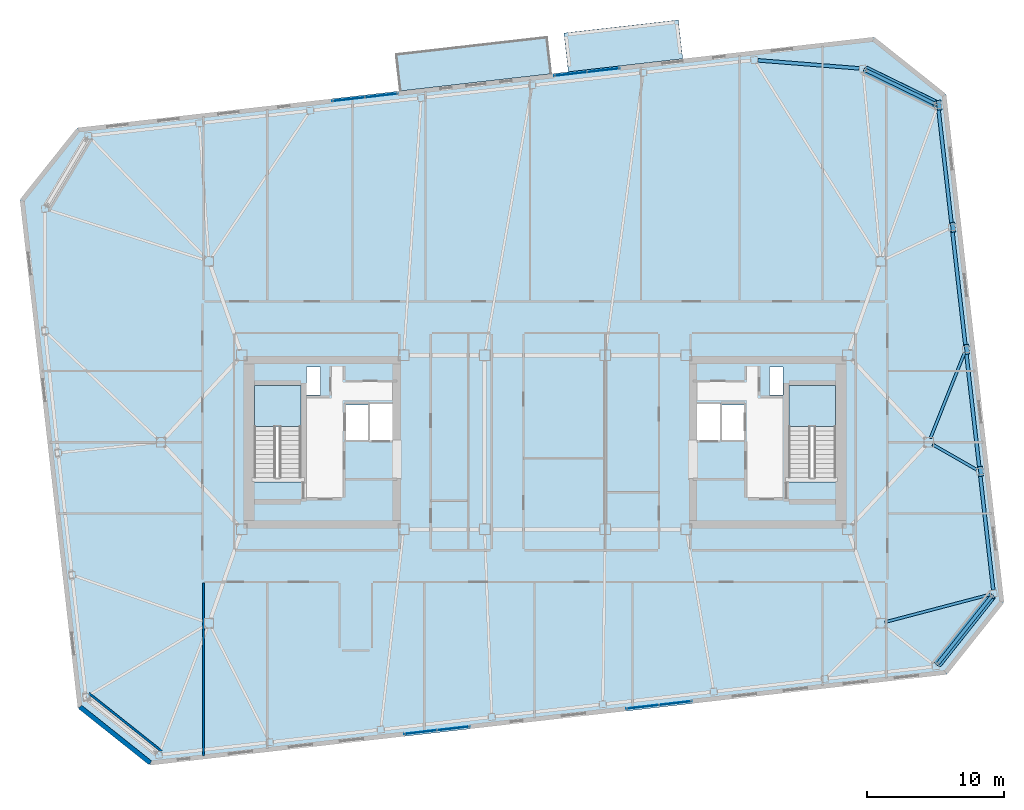
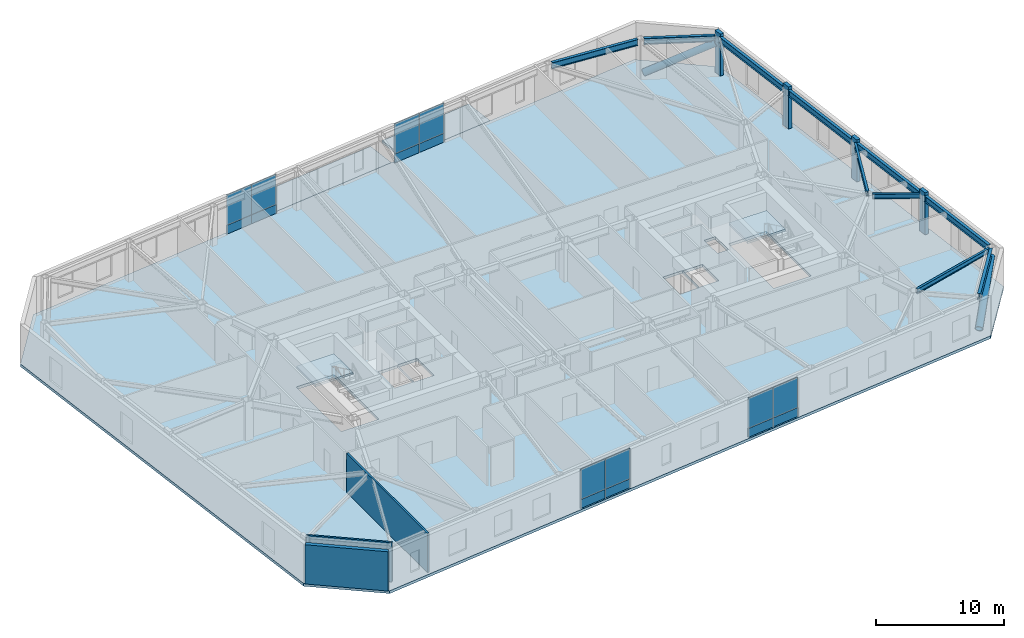
# One storey, part 11 of 20: 16 plates, 10 beams, 6 members, 5 slabs, 3 walls, 6 elements without a shape of their own.
"""IFC4 building model written with IfcOpenShell, lengths in metres."""

from ifc_helpers import new_model, si_unit, direction, frame, frame_2d, origin, origin_2d, place, context, subcontext, project, spatial, polyline, rectangle, hollow_circle, i_section, outline, extrude, material, layer, layer_set, material_profile, profile_set, type_object, element, aggregate, save


model = new_model("IFC4")

# Units and contexts
model_context = context("Model", 3, precision=1e-05, world=origin(), true_north=direction((0.0, 1.0)))
body_context = subcontext(model_context, "Body", "Model", "MODEL_VIEW")
ifc_project = project(units=[si_unit("LENGTHUNIT", "METRE"), si_unit("AREAUNIT", "SQUARE_METRE"), si_unit("VOLUMEUNIT", "CUBIC_METRE"), si_unit("PLANEANGLEUNIT", "RADIAN"), si_unit("MASSUNIT", "GRAM", prefix="KILO")], contexts=[model_context])

# Site, building, storey
site_placement = place(None, origin())
site = spatial("IfcSite", under=ifc_project, at=site_placement, CompositionType="ELEMENT")
building_placement = place(site_placement, origin())
building = spatial("IfcBuilding", under=site, at=building_placement, Name="Tavrogorsk Clinical Tower", CompositionType="ELEMENT")
storey_placement = place(building_placement, frame((0.0, 0.0, 251.0)))
storey = spatial("IfcBuildingStorey", under=building, at=storey_placement, Name="L58", CompositionType="ELEMENT", Elevation=251.0)

# Members
ifc_material_1 = material(Name="Structural steel S440", Category="steel")
ifc_material_profile_1 = material_profile(ifc_material_1, hollow_circle(Radius=0.304931640625, WallThickness=0.02490234375, at=origin_2d()), Name="CHS-610x25")
ifc_profile_set_1 = profile_set([ifc_material_profile_1], Name="Structural steel S440")
member_type_1 = type_object("IfcMemberType", Name="ExoBrace_CHS610", PredefinedType="BRACE", material=ifc_profile_set_1)
member_1_placement = place(storey_placement, frame((28.6572265625, -16.15869140625, 0.398193359375), z_axis=(0.575789482159, 0.723851679348, 0.380138420237), x_axis=(-0.782601910855, 0.622522488852, 0.0)))
element("IfcMember", 1, at=member_1_placement, inside=storey, type_object=member_type_1, Name="L58 Corner Exoskeleton Brace S8-E1", PredefinedType="BRACE", context=body_context, shape_type="SweptSolid", body=[
    extrude(hollow_circle(Radius=0.304931640625, WallThickness=0.02490234375, at=origin_2d()), origin(), (0.0, 0.0, 1.0), 6.8232421875),
])
member_2_placement = place(storey_placement, frame((23.399169921875, 27.150634765625, 0.4072265625), z_axis=(0.817526882464, -0.398699450942, 0.41555811178), x_axis=(0.438340015424, 0.898809229413, 0.0)))
element("IfcMember", 2, at=member_2_placement, inside=storey, type_object=member_type_1, Name="L58 Corner Exoskeleton Brace E5-N1", PredefinedType="BRACE", context=body_context, shape_type="SweptSolid", body=[
    extrude(hollow_circle(Radius=0.304931640625, WallThickness=0.02490234375, at=origin_2d()), origin(), (0.0, 0.0, 1.0), 6.1982421875),
])

# Beams
ifc_material_2 = material(Name="Structural steel S355", Category="steel")
ifc_material_profile_2 = material_profile(ifc_material_2, i_section(OverallWidth=0.199951171875, OverallDepth=0.449951171875, WebThickness=0.011474609375, FlangeThickness=0.01806640625, at=origin_2d()), Name="B-450x200x11.5x18")
ifc_profile_set_2 = profile_set([ifc_material_profile_2], Name="Structural steel S355")
beam_type_1 = type_object("IfcBeamType", Name="FloorBeam_B450", PredefinedType="BEAM", material=ifc_profile_set_2)
beam_1_placement = place(storey_placement, frame((24.7998046875, -13.12109375, 3.514892578125), z_axis=(0.967072149487, 0.254502372652, 0.0), x_axis=(-0.254502372652, 0.967072149487, 0.0)))
element("IfcBeam", 3, at=beam_1_placement, inside=storey, type_object=beam_type_1, Name="L58 Radial Floor Beam E1", PredefinedType="BEAM", context=body_context, shape_type="SweptSolid", body=[
    extrude(i_section(OverallWidth=0.199951171875, OverallDepth=0.449951171875, WebThickness=0.011474609375, FlangeThickness=0.01806640625, at=origin_2d()), origin(), (0.0, 0.0, 1.0), 7.94677734375),
])
beam_2_placement = place(storey_placement, frame((28.26904296875, -0.154052734375, 3.514892578125), z_axis=(0.867782232017, -0.49694466271, 0.0), x_axis=(0.49694466271, 0.867782232017, 0.0)))
element("IfcBeam", 4, at=beam_2_placement, inside=storey, type_object=beam_type_1, Name="L58 Radial Floor Beam E2", PredefinedType="BEAM", context=body_context, shape_type="SweptSolid", body=[
    extrude(i_section(OverallWidth=0.199951171875, OverallDepth=0.449951171875, WebThickness=0.011474609375, FlangeThickness=0.01806640625, at=origin_2d()), origin(), (0.0, 0.0, 1.0), 3.718994140625),
])
beam_3_placement = place(storey_placement, frame((28.114990234375, 0.287841796875, 3.514892578125), z_axis=(0.371052625529, 0.928611839838, 0.0), x_axis=(-0.928611839838, 0.371052625529, 0.0)))
element("IfcBeam", 5, at=beam_3_placement, inside=storey, type_object=beam_type_1, Name="L58 Radial Floor Beam E3", PredefinedType="BEAM", context=body_context, shape_type="SweptSolid", body=[
    extrude(i_section(OverallWidth=0.199951171875, OverallDepth=0.449951171875, WebThickness=0.011474609375, FlangeThickness=0.01806640625, at=origin_2d()), origin(), (0.0, 0.0, 1.0), 6.724365234375),
])

# Members
ifc_material_3 = material(Name="Precast concrete B45 with limestone cladding", Category="masonry")
ifc_material_profile_3 = material_profile(ifc_material_3, rectangle(XDim=0.320068359375, YDim=0.719970703125, at=origin_2d()), Name="LIMESTONE-FIN-320x720")
ifc_profile_set_3 = profile_set([ifc_material_profile_3], Name="Precast concrete B45 with limestone cladding")
member_type_2 = type_object("IfcMemberType", Name="LimestonePleatFin_320x720", PredefinedType="USERDEFINED", material=ifc_profile_set_3)
for number, where, z_axis, x_axis, name in (
    (6, (31.799560546875, -2.121337890625, 0.0), (0.0, 0.0, 1.0), (0.993571855677, 0.113203213768, 0.0), "L58 E Pleated Stone Fin 1"),
    (7, (30.785400390625, 6.781005859375, 0.0), (0.0, 0.0, 1.0), (0.993571855677, 0.113203213768, 0.0), "L58 E Pleated Stone Fin 2"),
    (8, (29.77099609375, 15.683349609375, 0.0), (0.0, 0.0, 1.0), (0.993571855677, 0.113203213768, 0.0), "L58 E Pleated Stone Fin 3"),
    (9, (28.756591796875, 24.585693359375, 0.0), (0.0, 0.0, 1.0), (0.993571855677, 0.113203213768, 0.0), "L58 E Pleated Stone Fin 4"),
):
    element("IfcMember", number, at=place(storey_placement, frame(where, z_axis=z_axis, x_axis=x_axis)), inside=storey, type_object=member_type_2, Name=name, ObjectType="FIN", PredefinedType="USERDEFINED", context=body_context, shape_type="SweptSolid", body=[
        extrude(rectangle(XDim=0.320068359375, YDim=0.719970703125, at=origin_2d()), origin(), (0.0, 0.0, 1.0), 4.0),
    ])

# Beams
ifc_material_4 = material(Name="Structural steel S390", Category="steel")
ifc_material_profile_4 = material_profile(ifc_material_4, i_section(OverallWidth=0.260009765625, OverallDepth=0.60009765625, WebThickness=0.014892578125, FlangeThickness=0.02392578125, at=origin_2d()), Name="B-600x260x15x24")
ifc_profile_set_4 = profile_set([ifc_material_profile_4], Name="Structural steel S390")
beam_type_2 = type_object("IfcBeamType", Name="SpandrelBeam_B600", PredefinedType="SPANDREL", material=ifc_profile_set_4)
beam_4_placement = place(storey_placement, frame((28.669189453125, -16.1435546875, 3.43994140625), z_axis=(0.622513813188, 0.782608811853, 0.0), x_axis=(-0.782608811853, 0.622513813188, 0.0)))
element("IfcBeam", 10, at=beam_4_placement, inside=storey, type_object=beam_type_2, Name="L58 Perimeter Spandrel S8-E1", PredefinedType="SPANDREL", context=body_context, shape_type="SweptSolid", body=[
    extrude(i_section(OverallWidth=0.260009765625, OverallDepth=0.60009765625, WebThickness=0.014892578125, FlangeThickness=0.02392578125, at=origin_2d()), origin(), (0.0, 0.0, 1.0), 6.272216796875),
])
for number, where, z_axis, x_axis, name in (
    (11, (32.705078125, -10.776611328125, 3.43994140625), (-0.113191877531, 0.993573147212, 0.0), (-0.993573147212, -0.113191877531, 0.0), "L58 Perimeter Spandrel E1-E2"),
    (12, (31.69091796875, -1.874267578125, 3.43994140625), (-0.113191877531, 0.993573147212, 0.0), (-0.993573147212, -0.113191877531, 0.0), "L58 Perimeter Spandrel E2-E3"),
):
    element("IfcBeam", number, at=place(storey_placement, frame(where, z_axis=z_axis, x_axis=x_axis)), inside=storey, type_object=beam_type_2, Name=name, PredefinedType="SPANDREL", context=body_context, shape_type="SweptSolid", body=[
        extrude(i_section(OverallWidth=0.260009765625, OverallDepth=0.60009765625, WebThickness=0.014892578125, FlangeThickness=0.02392578125, at=origin_2d()), origin(), (0.0, 0.0, 1.0), 8.444091796875),
    ])
for number, where, z_axis, x_axis, name in (
    (13, (30.676513671875, 7.0283203125, 3.43994140625), (-0.113195129234, 0.99357277676, 0.0), (-0.99357277676, -0.113195129234, 0.0), "L58 Perimeter Spandrel E3-E4"),
    (14, (29.662353515625, 15.9306640625, 3.43994140625), (-0.113223671813, 0.993569524563, 0.0), (-0.993569524563, -0.113223671813, 0.0), "L58 Perimeter Spandrel E4-E5"),
):
    element("IfcBeam", number, at=place(storey_placement, frame(where, z_axis=z_axis, x_axis=x_axis)), inside=storey, type_object=beam_type_2, Name=name, PredefinedType="SPANDREL", context=body_context, shape_type="SweptSolid", body=[
        extrude(i_section(OverallWidth=0.260009765625, OverallDepth=0.60009765625, WebThickness=0.014892578125, FlangeThickness=0.02392578125, at=origin_2d()), origin(), (0.0, 0.0, 1.0), 8.44384765625),
    ])
beam_5_placement = place(storey_placement, frame((28.4453125, 24.689697265625, 3.43994140625), z_axis=(-0.898811248667, 0.438335874951, 0.0), x_axis=(-0.438335874951, -0.898811248667, 0.0)))
element("IfcBeam", 15, at=beam_5_placement, inside=storey, type_object=beam_type_2, Name="L58 Perimeter Spandrel E5-N1", PredefinedType="SPANDREL", context=body_context, shape_type="SweptSolid", body=[
    extrude(i_section(OverallWidth=0.260009765625, OverallDepth=0.60009765625, WebThickness=0.014892578125, FlangeThickness=0.02392578125, at=origin_2d()), origin(), (0.0, 0.0, 1.0), 5.5908203125),
])
beam_6_placement = place(storey_placement, frame((22.930908203125, 27.273681640625, 3.43994140625), z_axis=(-0.996881705424, 0.078910489738, 0.0), x_axis=(-0.078910489738, -0.996881705424, 0.0)))
element("IfcBeam", 16, at=beam_6_placement, inside=storey, type_object=beam_type_2, Name="L58 Perimeter Spandrel N1-N2", PredefinedType="SPANDREL", context=body_context, shape_type="SweptSolid", body=[
    extrude(i_section(OverallWidth=0.260009765625, OverallDepth=0.60009765625, WebThickness=0.014892578125, FlangeThickness=0.02392578125, at=origin_2d()), origin(), (0.0, 0.0, 1.0), 7.428466796875),
])

# Curtain wall, plates
ifc_material_5 = material(Name="Anodised aluminium and triple IGU glazing", Category="aluminium")
ifc_layer_1 = layer(ifc_material_5, 0.179931640625)
ifc_layer_set_1 = layer_set([ifc_layer_1], Name="Anodised aluminium and triple IGU glazing")
curtain_wall_type_1 = type_object("IfcCurtainWallType", Name="CW3_SouthSlot", PredefinedType="NOTDEFINED", material=ifc_layer_set_1)
curtain_wall_1_placement = place(storey_placement, origin())
curtain_wall_1 = element("IfcCurtainWall", 17, at=curtain_wall_1_placement, inside=storey, type_object=curtain_wall_type_1, Name="L58 Curtain Wall CW-L58-S-SLOT-1", PredefinedType="NOTDEFINED")
ifc_material_6 = material(Name="Honed Podolsk limestone spandrel panel", Category="masonry")
ifc_layer_2 = layer(ifc_material_6, 0.080078125)
ifc_layer_set_2 = layer_set([ifc_layer_2], Name="Honed Podolsk limestone spandrel panel")
plate_type_1 = type_object("IfcPlateType", Name="CwSpandrelStonePanel_80", PredefinedType="CURTAIN_PANEL", material=ifc_layer_set_2)
plate_1_placement = place(storey_placement, frame((-9.066650390625, -21.139892578125, 0.001953125), z_axis=(0.0, 0.0, 1.0), x_axis=(0.993571855603, 0.11320321441, 0.0)))
plate_1 = element("IfcPlate", 18, at=plate_1_placement, type_object=plate_type_1, Name="CW-L58-S-SLOT-1 Stone Spandrel Panel 1", PredefinedType="CURTAIN_PANEL", context=body_context, shape_type="SweptSolid", body=[
    extrude(rectangle(XDim=2.39208984375, YDim=0.080078125, at=origin_2d()), origin(), (0.0, 0.0, 1.0), 0.8359375),
])
plate_2_placement = place(storey_placement, frame((-6.666259765625, -20.866455078125, 0.001953125), z_axis=(0.0, 0.0, 1.0), x_axis=(0.993571855603, 0.11320321441, 0.0)))
plate_2 = element("IfcPlate", 19, at=plate_2_placement, type_object=plate_type_1, Name="CW-L58-S-SLOT-1 Stone Spandrel Panel 2", PredefinedType="CURTAIN_PANEL", context=body_context, shape_type="SweptSolid", body=[
    extrude(rectangle(XDim=2.39208984375, YDim=0.080078125, at=origin_2d()), origin(), (0.0, 0.0, 1.0), 0.8359375),
])

curtain_wall_2_placement = place(storey_placement, origin())
curtain_wall_2 = element("IfcCurtainWall", 20, at=curtain_wall_2_placement, inside=storey, type_object=curtain_wall_type_1, Name="L58 Curtain Wall CW-L58-S-SLOT-2", PredefinedType="NOTDEFINED")
plate_3_placement = place(storey_placement, frame((7.125732421875, -19.294921875, 0.001953125), z_axis=(0.0, 0.0, 1.0), x_axis=(0.993571855603, 0.11320321441, 0.0)))
plate_3 = element("IfcPlate", 21, at=plate_3_placement, type_object=plate_type_1, Name="CW-L58-S-SLOT-2 Stone Spandrel Panel 1", PredefinedType="CURTAIN_PANEL", context=body_context, shape_type="SweptSolid", body=[
    extrude(rectangle(XDim=2.39208984375, YDim=0.080078125, at=origin_2d()), origin(), (0.0, 0.0, 1.0), 0.8359375),
])
plate_4_placement = place(storey_placement, frame((9.526123046875, -19.021484375, 0.001953125), z_axis=(0.0, 0.0, 1.0), x_axis=(0.993571855603, 0.11320321441, 0.0)))
plate_4 = element("IfcPlate", 22, at=plate_4_placement, type_object=plate_type_1, Name="CW-L58-S-SLOT-2 Stone Spandrel Panel 2", PredefinedType="CURTAIN_PANEL", context=body_context, shape_type="SweptSolid", body=[
    extrude(rectangle(XDim=2.39208984375, YDim=0.080078125, at=origin_2d()), origin(), (0.0, 0.0, 1.0), 0.8359375),
])

ifc_material_7 = material(Name="Anodised aluminium and triple IGU glazing", Category="aluminium")
ifc_layer_3 = layer(ifc_material_7, 0.179931640625)
ifc_layer_set_3 = layer_set([ifc_layer_3], Name="Anodised aluminium and triple IGU glazing")
curtain_wall_type_2 = type_object("IfcCurtainWallType", Name="CW2_NorthSlot", PredefinedType="NOTDEFINED", material=ifc_layer_set_3)
curtain_wall_3_placement = place(storey_placement, origin())
curtain_wall_3 = element("IfcCurtainWall", 23, at=curtain_wall_3_placement, inside=storey, type_object=curtain_wall_type_2, Name="L58 Curtain Wall CW-L58-N-SLOT-1", PredefinedType="NOTDEFINED")
plate_5_placement = place(storey_placement, frame((-11.92578125, 25.294921875, 0.001953125), z_axis=(0.0, 0.0, 1.0), x_axis=(-0.993571855603, -0.11320321441, 0.0)))
plate_5 = element("IfcPlate", 24, at=plate_5_placement, type_object=plate_type_1, Name="CW-L58-N-SLOT-1 Stone Spandrel Panel 1", PredefinedType="CURTAIN_PANEL", context=body_context, shape_type="SweptSolid", body=[
    extrude(rectangle(XDim=2.39208984375, YDim=0.080078125, at=origin_2d()), origin(), (0.0, 0.0, 1.0), 0.8359375),
])
plate_6_placement = place(storey_placement, frame((-14.326171875, 25.021484375, 0.001953125), z_axis=(0.0, 0.0, 1.0), x_axis=(-0.993571855603, -0.11320321441, 0.0)))
plate_6 = element("IfcPlate", 25, at=plate_6_placement, type_object=plate_type_1, Name="CW-L58-N-SLOT-1 Stone Spandrel Panel 2", PredefinedType="CURTAIN_PANEL", context=body_context, shape_type="SweptSolid", body=[
    extrude(rectangle(XDim=2.39208984375, YDim=0.080078125, at=origin_2d()), origin(), (0.0, 0.0, 1.0), 0.8359375),
])

curtain_wall_4_placement = place(storey_placement, origin())
curtain_wall_4 = element("IfcCurtainWall", 26, at=curtain_wall_4_placement, inside=storey, type_object=curtain_wall_type_2, Name="L58 Curtain Wall CW-L58-N-SLOT-2", PredefinedType="NOTDEFINED")
plate_7_placement = place(storey_placement, frame((4.266845703125, 27.139892578125, 0.001953125), z_axis=(0.0, 0.0, 1.0), x_axis=(-0.993571855603, -0.11320321441, 0.0)))
plate_7 = element("IfcPlate", 27, at=plate_7_placement, type_object=plate_type_1, Name="CW-L58-N-SLOT-2 Stone Spandrel Panel 1", PredefinedType="CURTAIN_PANEL", context=body_context, shape_type="SweptSolid", body=[
    extrude(rectangle(XDim=2.39208984375, YDim=0.080078125, at=origin_2d()), origin(), (0.0, 0.0, 1.0), 0.8359375),
])
plate_8_placement = place(storey_placement, frame((1.8662109375, 26.866455078125, 0.001953125), z_axis=(0.0, 0.0, 1.0), x_axis=(-0.993571855603, -0.11320321441, 0.0)))
plate_8 = element("IfcPlate", 28, at=plate_8_placement, type_object=plate_type_1, Name="CW-L58-N-SLOT-2 Stone Spandrel Panel 2", PredefinedType="CURTAIN_PANEL", context=body_context, shape_type="SweptSolid", body=[
    extrude(rectangle(XDim=2.39208984375, YDim=0.080078125, at=origin_2d()), origin(), (0.0, 0.0, 1.0), 0.8359375),
])

# Plate
ifc_material_8 = material(Name="Triple low-E argon insulated glass", Category="glass")
ifc_layer_4 = layer(ifc_material_8, 0.048095703125)
ifc_layer_set_4 = layer_set([ifc_layer_4], Name="Triple low-E argon insulated glass")
plate_type_2 = type_object("IfcPlateType", Name="CwVisionGlassPanel_48", PredefinedType="CURTAIN_PANEL", material=ifc_layer_set_4)
plate_9_placement = place(storey_placement, frame((-9.066650390625, -21.139892578125, 0.862060546875), z_axis=(0.0, 0.0, 1.0), x_axis=(0.993571855603, 0.11320321441, 0.0)))
plate_9 = element("IfcPlate", 29, at=plate_9_placement, type_object=plate_type_2, Name="CW-L58-S-SLOT-1 Glazing Panel 1", PredefinedType="CURTAIN_PANEL", context=body_context, shape_type="SweptSolid", body=[
    extrude(rectangle(XDim=2.39208984375, YDim=0.048095703125, at=origin_2d()), origin(), (0.0, 0.0, 1.0), 2.8759765625),
])

plate_10_placement = place(storey_placement, frame((-6.666259765625, -20.866455078125, 0.862060546875), z_axis=(0.0, 0.0, 1.0), x_axis=(0.993571855603, 0.11320321441, 0.0)))
plate_10 = element("IfcPlate", 30, at=plate_10_placement, type_object=plate_type_2, Name="CW-L58-S-SLOT-1 Glazing Panel 2", PredefinedType="CURTAIN_PANEL", context=body_context, shape_type="SweptSolid", body=[
    extrude(rectangle(XDim=2.39208984375, YDim=0.048095703125, at=origin_2d()), origin(), (0.0, 0.0, 1.0), 2.8759765625),
])

aggregate(curtain_wall_1, [plate_1, plate_9, plate_2, plate_10])

plate_11_placement = place(storey_placement, frame((7.125732421875, -19.294921875, 0.862060546875), z_axis=(0.0, 0.0, 1.0), x_axis=(0.993571855603, 0.11320321441, 0.0)))
plate_11 = element("IfcPlate", 31, at=plate_11_placement, type_object=plate_type_2, Name="CW-L58-S-SLOT-2 Glazing Panel 1", PredefinedType="CURTAIN_PANEL", context=body_context, shape_type="SweptSolid", body=[
    extrude(rectangle(XDim=2.39208984375, YDim=0.048095703125, at=origin_2d()), origin(), (0.0, 0.0, 1.0), 2.8759765625),
])

plate_12_placement = place(storey_placement, frame((9.526123046875, -19.021484375, 0.862060546875), z_axis=(0.0, 0.0, 1.0), x_axis=(0.993571855603, 0.11320321441, 0.0)))
plate_12 = element("IfcPlate", 32, at=plate_12_placement, type_object=plate_type_2, Name="CW-L58-S-SLOT-2 Glazing Panel 2", PredefinedType="CURTAIN_PANEL", context=body_context, shape_type="SweptSolid", body=[
    extrude(rectangle(XDim=2.39208984375, YDim=0.048095703125, at=origin_2d()), origin(), (0.0, 0.0, 1.0), 2.8759765625),
])

aggregate(curtain_wall_2, [plate_3, plate_11, plate_4, plate_12])

plate_13_placement = place(storey_placement, frame((-11.92578125, 25.294921875, 0.862060546875), z_axis=(0.0, 0.0, 1.0), x_axis=(-0.993571855603, -0.11320321441, 0.0)))
plate_13 = element("IfcPlate", 33, at=plate_13_placement, type_object=plate_type_2, Name="CW-L58-N-SLOT-1 Glazing Panel 1", PredefinedType="CURTAIN_PANEL", context=body_context, shape_type="SweptSolid", body=[
    extrude(rectangle(XDim=2.39208984375, YDim=0.048095703125, at=origin_2d()), origin(), (0.0, 0.0, 1.0), 2.8759765625),
])

plate_14_placement = place(storey_placement, frame((-14.326171875, 25.021484375, 0.862060546875), z_axis=(0.0, 0.0, 1.0), x_axis=(-0.993571855603, -0.11320321441, 0.0)))
plate_14 = element("IfcPlate", 34, at=plate_14_placement, type_object=plate_type_2, Name="CW-L58-N-SLOT-1 Glazing Panel 2", PredefinedType="CURTAIN_PANEL", context=body_context, shape_type="SweptSolid", body=[
    extrude(rectangle(XDim=2.39208984375, YDim=0.048095703125, at=origin_2d()), origin(), (0.0, 0.0, 1.0), 2.8759765625),
])

aggregate(curtain_wall_3, [plate_5, plate_13, plate_6, plate_14])

plate_15_placement = place(storey_placement, frame((4.266845703125, 27.139892578125, 0.862060546875), z_axis=(0.0, 0.0, 1.0), x_axis=(-0.993571855603, -0.11320321441, 0.0)))
plate_15 = element("IfcPlate", 35, at=plate_15_placement, type_object=plate_type_2, Name="CW-L58-N-SLOT-2 Glazing Panel 1", PredefinedType="CURTAIN_PANEL", context=body_context, shape_type="SweptSolid", body=[
    extrude(rectangle(XDim=2.39208984375, YDim=0.048095703125, at=origin_2d()), origin(), (0.0, 0.0, 1.0), 2.8759765625),
])

plate_16_placement = place(storey_placement, frame((1.8662109375, 26.866455078125, 0.862060546875), z_axis=(0.0, 0.0, 1.0), x_axis=(-0.993571855603, -0.11320321441, 0.0)))
plate_16 = element("IfcPlate", 36, at=plate_16_placement, type_object=plate_type_2, Name="CW-L58-N-SLOT-2 Glazing Panel 2", PredefinedType="CURTAIN_PANEL", context=body_context, shape_type="SweptSolid", body=[
    extrude(rectangle(XDim=2.39208984375, YDim=0.048095703125, at=origin_2d()), origin(), (0.0, 0.0, 1.0), 2.8759765625),
])

aggregate(curtain_wall_4, [plate_7, plate_15, plate_8, plate_16])

# Slab
ifc_material_9 = material(Name="Concrete B60", Category="concrete")
ifc_layer_5 = layer(ifc_material_9, 0.239990234375)
ifc_layer_set_5 = layer_set([ifc_layer_5], Name="Concrete B60")
slab_type_1 = type_object("IfcSlabType", Name="DayroomSlab_240", PredefinedType="FLOOR", material=ifc_layer_set_5)
slab_1_placement = place(storey_placement, frame((0.0, 0.0, -0.239990234375)))
element("IfcSlab", 37, at=slab_1_placement, inside=storey, type_object=slab_type_1, Name="L58 Day-Room Box Roof DRB-08", PredefinedType="ROOF", context=body_context, shape_type="SweptSolid", body=[
    extrude(outline(polyline([(1.384765625, 29.85107421875), (9.730712890625, 30.802001953125), (10.05322265625, 27.97021484375), (1.707275390625, 27.019287109375), (1.384765625, 29.85107421875)])), origin(), (0.0, 0.0, 1.0), 0.239990234375),
])

# Stair, slab
ifc_material_10 = material(Name="Concrete B60", Category="concrete")
stair_type = type_object("IfcStairType", Name="CoreStairAssembly", PredefinedType="HALF_TURN_STAIR", material=ifc_material_10)
stair_1_placement = place(storey_placement, origin())
stair_1 = element("IfcStair", 38, at=stair_1_placement, inside=storey, type_object=stair_type, Name="L58 ST-W", PredefinedType="HALF_TURN_STAIR")
ifc_material_11 = material(Name="Concrete B60", Category="concrete")
ifc_layer_6 = layer(ifc_material_11, 0.199951171875)
ifc_layer_set_6 = layer_set([ifc_layer_6], Name="Concrete B60")
slab_type_2 = type_object("IfcSlabType", Name="StairLanding_200", PredefinedType="LANDING", material=ifc_layer_set_6)
slab_2_placement = place(storey_placement, frame((0.0, 0.0, 1.800048828125)))
slab_2 = element("IfcSlab", 39, at=slab_2_placement, type_object=slab_type_2, Name="ST-W landing 1", PredefinedType="LANDING", context=body_context, shape_type="SweptSolid", body=[
    extrude(outline(polyline([(-17.800048828125, 1.1650390625), (-17.800048828125, 4.125), (-21.199951171875, 4.125), (-21.199951171875, 1.1650390625), (-17.800048828125, 1.1650390625)])), origin(), (0.0, 0.0, 1.0), 0.199951171875),
])
aggregate(stair_1, [slab_2])

stair_2_placement = place(storey_placement, origin())
stair_2 = element("IfcStair", 40, at=stair_2_placement, inside=storey, type_object=stair_type, Name="L58 ST-E", PredefinedType="HALF_TURN_STAIR")
slab_3_placement = place(storey_placement, frame((0.0, 0.0, 1.800048828125)))
slab_3 = element("IfcSlab", 41, at=slab_3_placement, type_object=slab_type_2, Name="ST-E landing 1", PredefinedType="LANDING", context=body_context, shape_type="SweptSolid", body=[
    extrude(outline(polyline([(21.199951171875, 1.1650390625), (21.199951171875, 4.125), (17.800048828125, 4.125), (17.800048828125, 1.1650390625), (21.199951171875, 1.1650390625)])), origin(), (0.0, 0.0, 1.0), 0.199951171875),
])
aggregate(stair_2, [slab_3])

# Slabs
ifc_material_12 = material(Name="Concrete B60", Category="concrete")
ifc_layer_7 = layer(ifc_material_12, 0.280029296875)
ifc_layer_set_7 = layer_set([ifc_layer_7], Name="Concrete B60")
slab_type_3 = type_object("IfcSlabType", Name="TerraceRoofSlab_280", PredefinedType="ROOF", material=ifc_layer_set_7)
slab_4_placement = place(storey_placement, frame((0.0, 0.0, -0.280029296875)))
element("IfcSlab", 42, at=slab_4_placement, inside=storey, type_object=slab_type_3, Name="Spiralling Recuperation Terrace Slab", PredefinedType="ROOF", context=body_context, shape_type="SweptSolid", body=[
    extrude(outline(polyline([(-10.92431640625, 28.347900390625), (0.20361328125, 29.61572265625), (0.514892578125, 26.883544921875), (-10.613037109375, 25.615478515625), (-10.92431640625, 28.347900390625)])), origin(), (0.0, 0.0, 1.0), 0.280029296875),
])
ifc_material_13 = material(Name="Concrete B60", Category="concrete")
ifc_layer_8 = layer(ifc_material_13, 0.260009765625)
ifc_layer_set_8 = layer_set([ifc_layer_8], Name="Concrete B60")
slab_type_4 = type_object("IfcSlabType", Name="WardSlab_260", PredefinedType="FLOOR", material=ifc_layer_set_8)
slab_5_placement = place(storey_placement, frame((0.0, 0.0, -0.260009765625)))
element("IfcSlab", 43, at=slab_5_placement, inside=storey, type_object=slab_type_4, Name="L58 Structural Slab", PredefinedType="FLOOR", context=body_context, shape_type="SweptSolid", body=[
    extrude(outline(polyline([(-28.76318359375, -23.55517578125), (29.26123046875, -16.944091796875), (33.487060546875, -11.631591796875), (29.27587890625, 25.329345703125), (23.96337890625, 29.55517578125), (-34.061279296875, 22.944091796875), (-38.287109375, 17.631591796875), (-34.075927734375, -19.329345703125), (-28.76318359375, -23.55517578125)]), holes=[polyline([(-17.800048828125, -2.8798828125), (-17.800048828125, 4.125), (-21.199951171875, 4.125), (-21.199951171875, -2.8798828125), (-17.800048828125, -2.8798828125)]), polyline([(21.199951171875, -2.8798828125), (21.199951171875, 4.125), (17.800048828125, 4.125), (17.800048828125, -2.8798828125), (21.199951171875, -2.8798828125)]), polyline([(-14.6201171875, 0.169921875), (-12.860107421875, 0.169921875), (-12.860107421875, 2.72998046875), (-14.6201171875, 2.72998046875), (-14.6201171875, 0.169921875)]), polyline([(-12.840087890625, 0.1201171875), (-11.080078125, 0.1201171875), (-11.080078125, 2.780029296875), (-12.840087890625, 2.780029296875), (-12.840087890625, 0.1201171875)]), polyline([(12.860107421875, 0.169921875), (14.6201171875, 0.169921875), (14.6201171875, 2.72998046875), (12.860107421875, 2.72998046875), (12.860107421875, 0.169921875)]), polyline([(11.080078125, 0.1201171875), (12.840087890625, 0.1201171875), (12.840087890625, 2.780029296875), (11.080078125, 2.780029296875), (11.080078125, 0.1201171875)]), polyline([(-17.3798828125, 3.449951171875), (-16.3798828125, 3.449951171875), (-16.3798828125, 5.5), (-17.3798828125, 5.5), (-17.3798828125, 3.449951171875)]), polyline([(16.3798828125, 3.449951171875), (17.3798828125, 3.449951171875), (17.3798828125, 5.5), (16.3798828125, 5.5), (16.3798828125, 3.449951171875)])]), origin(), (0.0, 0.0, 1.0), 0.260009765625),
])

# Walls
ifc_material_14 = material(Name="Lightweight concrete blockwork B15", Category="masonry")
ifc_layer_9 = layer(ifc_material_14, 0.159912109375)
ifc_layer_set_9 = layer_set([ifc_layer_9], Name="Lightweight concrete blockwork B15")
wall_type_1 = type_object("IfcWallType", Name="PartitionWall_160", PredefinedType="PARTITIONING", material=ifc_layer_set_9)
wall_1_placement = place(storey_placement, frame((-33.265380859375, -18.310546875, 0.0), z_axis=(0.0, 0.0, 1.0), x_axis=(0.782602647064, -0.622521563328, 0.0)))
element("IfcWall", 44, at=wall_1_placement, inside=storey, type_object=wall_type_1, Name="L58 Corner Exoskeleton Brace Furring Wall 4", PredefinedType="PARTITIONING", context=body_context, shape_type="SweptSolid", body=[
    extrude(rectangle(XDim=6.788330078125, YDim=0.159912109375, at=frame_2d((3.39404296875, 0.0))), origin(), (0.0, 0.0, 1.0), 3.739990234375),
])
wall_2_placement = place(storey_placement, frame((-24.89990234375, -22.873291015625, 0.0), z_axis=(0.0, 0.0, 1.0), x_axis=(0.0, 1.0, 0.0)))
element("IfcWall", 45, at=wall_2_placement, inside=storey, type_object=wall_type_1, Name="L58 SW Wing Closure Partition", PredefinedType="PARTITIONING", context=body_context, shape_type="SweptSolid", body=[
    extrude(rectangle(XDim=12.6083984375, YDim=0.159912109375, at=frame_2d((6.30419921875, 0.0))), origin(), (0.0, 0.0, 1.0), 3.739990234375),
])
ifc_material_15 = material(Name="Precast concrete B45 with limestone cladding", Category="masonry")
ifc_layer_10 = layer(ifc_material_15, 0.340087890625)
ifc_layer_set_10 = layer_set([ifc_layer_10], Name="Precast concrete B45 with limestone cladding")
wall_type_2 = type_object("IfcWallType", Name="PrecastLimestoneWall_340", PredefinedType="STANDARD", material=ifc_layer_set_10)
wall_3_placement = place(storey_placement, frame((-33.906982421875, -19.31005859375, 0.0), z_axis=(0.0, 0.0, 1.0), x_axis=(0.782611787794, -0.622510071892, 0.0)))
element("IfcWall", 46, at=wall_3_placement, inside=storey, type_object=wall_type_2, Name="L58 Chamfered Corner Wall 4", PredefinedType="STANDARD", context=body_context, shape_type="SweptSolid", body=[
    extrude(rectangle(XDim=6.5478515625, YDim=0.340087890625, at=frame_2d((3.27392578125, 0.0))), origin(), (0.0, 0.0, 1.0), 3.739990234375),
])

save(model, "model.ifc")
